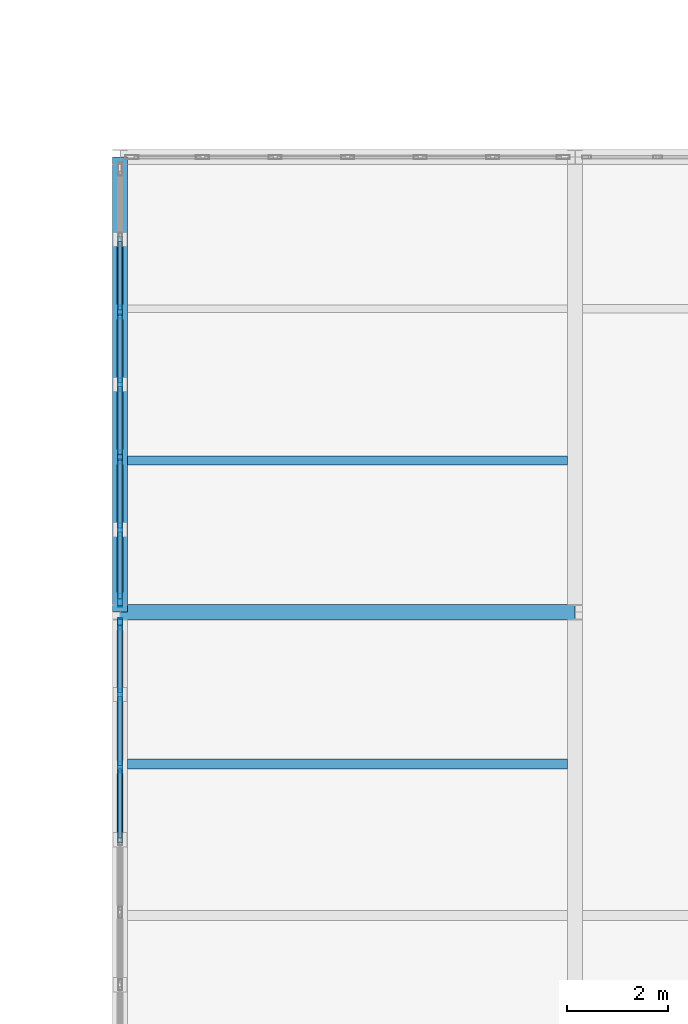
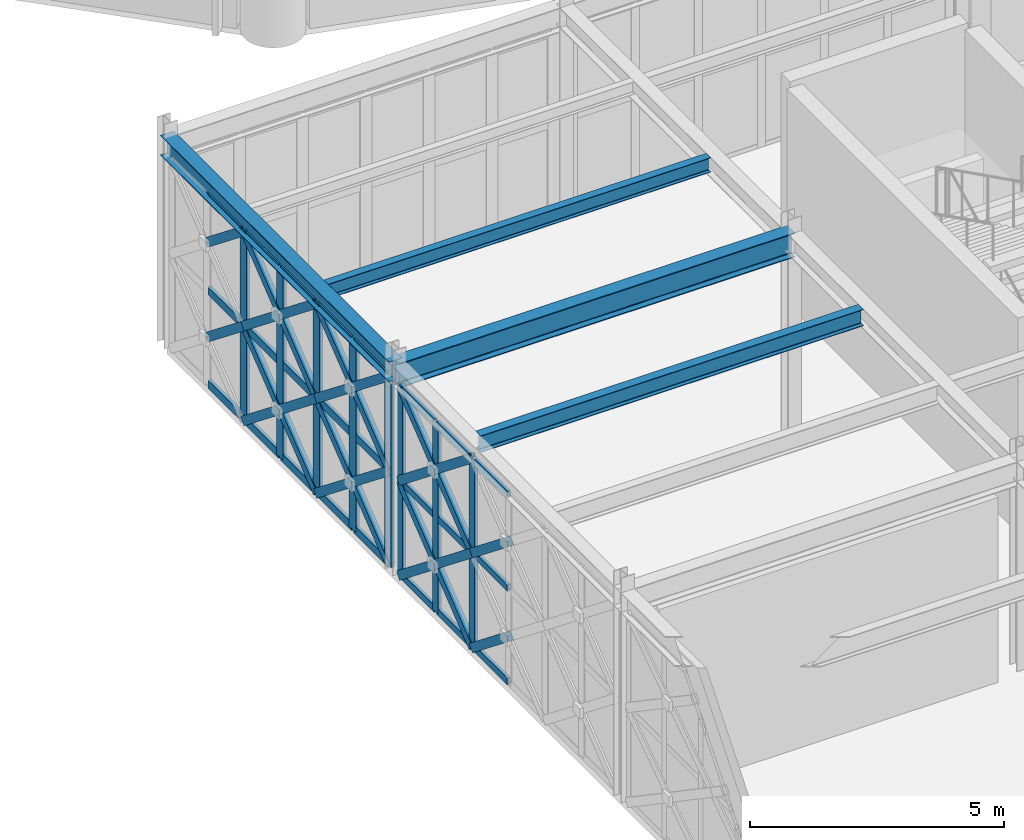
# One storey, part 40 of 155: 54 members, 4 beams, 2 elements without a shape of their own.
"""IFC4 building model written with IfcOpenShell, lengths in metres."""

from ifc_helpers import new_model, si_unit, direction, frame, origin, origin_2d, place, context, subcontext, project, spatial, hollow_rectangle, i_section, extrude, material, material_profile, profile_set, type_object, element, aggregate, save


model = new_model("IFC4")

# Units and contexts
model_context = context("Model", 3, precision=1e-05, world=origin(), true_north=direction((0.0, 1.0)))
body_context = subcontext(model_context, "Body", "Model", "MODEL_VIEW")
ifc_project = project(units=[si_unit("LENGTHUNIT", "METRE"), si_unit("AREAUNIT", "SQUARE_METRE"), si_unit("VOLUMEUNIT", "CUBIC_METRE"), si_unit("PLANEANGLEUNIT", "RADIAN"), si_unit("MASSUNIT", "GRAM", prefix="KILO")], contexts=[model_context])

# Site, building, storey
site_placement = place(None, origin())
site = spatial("IfcSite", under=ifc_project, at=site_placement, CompositionType="ELEMENT")
building_placement = place(site_placement, origin())
building = spatial("IfcBuilding", under=site, at=building_placement, Name="Haizhuo Lancet Aquarium", CompositionType="ELEMENT")
storey_placement = place(building_placement, frame((0.0, 0.0, 10.800048828125)))
storey = spatial("IfcBuildingStorey", under=building, at=storey_placement, Name="L02", CompositionType="ELEMENT", Elevation=10.800048828125)

# Beams
ifc_material_1 = material(Name="Steel S355", Category="steel")
ifc_material_profile_1 = material_profile(ifc_material_1, i_section(OverallWidth=0.300048828125, OverallDepth=0.488037109375, WebThickness=0.010986328125, FlangeThickness=0.01806640625, FilletRadius=0.02392578125, at=origin_2d()), Name="HM 488x300x11x18")
ifc_profile_set_1 = profile_set([ifc_material_profile_1], Name="Steel S355")
beam_type_1 = type_object("IfcBeamType", Name="BM-ST-HM488", PredefinedType="BEAM", material=ifc_profile_set_1)
beam_1_placement = place(storey_placement, frame((-18.0, -36.0, 4.805908203125), z_axis=(0.0, 1.0, 0.0), x_axis=(-1.0, 0.0, 0.0)))
element("IfcBeam", 1, at=beam_1_placement, inside=storey, type_object=beam_type_1, Name="L02 V4 primary girder BM-L02-V4-005", PredefinedType="BEAM", context=body_context, shape_type="SweptSolid", body=[
    extrude(i_section(OverallWidth=0.300048828125, OverallDepth=0.488037109375, WebThickness=0.010986328125, FlangeThickness=0.01806640625, FilletRadius=0.02392578125, at=origin_2d()), origin(), (0.0, 0.0, 1.0), 9.0),
])
ifc_material_profile_2 = material_profile(ifc_material_1, i_section(OverallWidth=0.300048828125, OverallDepth=0.587890625, WebThickness=0.011962890625, FlangeThickness=0.02001953125, FilletRadius=0.02587890625, at=origin_2d()), Name="HM 588x300x12x20")
ifc_profile_set_2 = profile_set([ifc_material_profile_2], Name="Steel S355")
beam_type_2 = type_object("IfcBeamType", Name="BM-ST-HM588", PredefinedType="BEAM", material=ifc_profile_set_2)
beam_2_placement = place(storey_placement, frame((-18.0, -36.0, 4.755859375), z_axis=(1.0, 0.0, 0.0), x_axis=(0.0, 1.0, 0.0)))
element("IfcBeam", 2, at=beam_2_placement, inside=storey, type_object=beam_type_2, Name="L02 V4 primary girder BM-L02-V4-006", PredefinedType="BEAM", context=body_context, shape_type="SweptSolid", body=[
    extrude(i_section(OverallWidth=0.300048828125, OverallDepth=0.587890625, WebThickness=0.011962890625, FlangeThickness=0.02001953125, FilletRadius=0.02587890625, at=origin_2d()), origin(), (0.0, 0.0, 1.0), 9.0),
])

# Curtain wall, members
ifc_material_2 = material(Name="Aluminium 6063-T6", Category="aluminium")
curtain_wall_type = type_object("IfcCurtainWallType", Name="CWO-8610x4560", PredefinedType="NOTDEFINED", material=ifc_material_2)
curtain_wall_1_placement = place(storey_placement, origin())
curtain_wall_1 = element("IfcCurtainWall", 3, at=curtain_wall_1_placement, inside=storey, type_object=curtain_wall_type, Name="L02 curtain wall CW-V4-L02-113", PredefinedType="NOTDEFINED")
ifc_material_profile_3 = material_profile(ifc_material_2, hollow_rectangle(XDim=0.074951171875, YDim=0.219970703125, WallThickness=0.0048828125, at=origin_2d()), Name="ALU-M 75x220x5")
ifc_profile_set_3 = profile_set([ifc_material_profile_3], Name="Aluminium 6063-T6")
member_type_1 = type_object("IfcMemberType", Name="CW-MUL-2", PredefinedType="MULLION", material=ifc_profile_set_3)
member_1_placement = place(storey_placement, frame((-18.0, -39.06494140625, 0.0), z_axis=(0.0, 0.0, 1.0), x_axis=(-1.0, 0.0, 0.0)))
member_1 = element("IfcMember", 4, at=member_1_placement, type_object=member_type_1, Name="CWO-86x45 mullion 5", PredefinedType="MULLION", context=body_context, shape_type="SweptSolid", body=[
    extrude(hollow_rectangle(XDim=0.074951171875, YDim=0.219970703125, WallThickness=0.0048828125, at=origin_2d()), origin(), (0.0, 0.0, 1.0), 4.56201171875),
])
member_2_placement = place(storey_placement, frame((-18.0, -37.6298828125, 0.0), z_axis=(0.0, 0.0, 1.0), x_axis=(-1.0, 0.0, 0.0)))
member_2 = element("IfcMember", 5, at=member_2_placement, type_object=member_type_1, Name="CWO-86x45 mullion 6", PredefinedType="MULLION", context=body_context, shape_type="SweptSolid", body=[
    extrude(hollow_rectangle(XDim=0.074951171875, YDim=0.219970703125, WallThickness=0.0048828125, at=origin_2d()), origin(), (0.0, 0.0, 1.0), 4.56201171875),
])
member_3_placement = place(storey_placement, frame((-18.0, -36.23291015625, 0.0), z_axis=(0.0, 0.0, 1.0), x_axis=(-1.0, 0.0, 0.0)))
member_3 = element("IfcMember", 6, at=member_3_placement, type_object=member_type_1, Name="CWO-86x45 mullion 7", PredefinedType="MULLION", context=body_context, shape_type="SweptSolid", body=[
    extrude(hollow_rectangle(XDim=0.074951171875, YDim=0.219970703125, WallThickness=0.0048828125, at=origin_2d()), origin(), (0.0, 0.0, 1.0), 4.56201171875),
])

curtain_wall_2_placement = place(storey_placement, origin())
curtain_wall_2 = element("IfcCurtainWall", 7, at=curtain_wall_2_placement, inside=storey, type_object=curtain_wall_type, Name="L02 curtain wall CW-V4-L02-114", PredefinedType="NOTDEFINED")
ifc_material_profile_4 = material_profile(ifc_material_2, hollow_rectangle(XDim=0.080078125, YDim=0.260009765625, WallThickness=0.0048828125, at=origin_2d()), Name="ALU-M 80x260x5")
ifc_profile_set_4 = profile_set([ifc_material_profile_4], Name="Aluminium 6063-T6")
member_type_2 = type_object("IfcMemberType", Name="CW-MUL-3", PredefinedType="MULLION", material=ifc_profile_set_4)
member_4_placement = place(storey_placement, frame((-18.0, -35.764892578125, 0.0), z_axis=(0.0, 0.0, 1.0), x_axis=(-1.0, 0.0, 0.0)))
member_4 = element("IfcMember", 8, at=member_4_placement, type_object=member_type_2, Name="CWO-86x45 mullion 1", PredefinedType="MULLION", context=body_context, shape_type="SweptSolid", body=[
    extrude(hollow_rectangle(XDim=0.080078125, YDim=0.260009765625, WallThickness=0.0048828125, at=origin_2d()), origin(), (0.0, 0.0, 1.0), 4.56201171875),
])
member_5_placement = place(storey_placement, frame((-18.0, -34.3701171875, 0.0), z_axis=(0.0, 0.0, 1.0), x_axis=(-1.0, 0.0, 0.0)))
member_5 = element("IfcMember", 9, at=member_5_placement, type_object=member_type_2, Name="CWO-86x45 mullion 2", PredefinedType="MULLION", context=body_context, shape_type="SweptSolid", body=[
    extrude(hollow_rectangle(XDim=0.080078125, YDim=0.260009765625, WallThickness=0.0048828125, at=origin_2d()), origin(), (0.0, 0.0, 1.0), 4.56201171875),
])
member_6_placement = place(storey_placement, frame((-18.0, -32.93505859375, 0.0), z_axis=(0.0, 0.0, 1.0), x_axis=(-1.0, 0.0, 0.0)))
member_6 = element("IfcMember", 10, at=member_6_placement, type_object=member_type_2, Name="CWO-86x45 mullion 3", PredefinedType="MULLION", context=body_context, shape_type="SweptSolid", body=[
    extrude(hollow_rectangle(XDim=0.080078125, YDim=0.260009765625, WallThickness=0.0048828125, at=origin_2d()), origin(), (0.0, 0.0, 1.0), 4.56201171875),
])
member_7_placement = place(storey_placement, frame((-18.0, -31.5, 0.0), z_axis=(0.0, 0.0, 1.0), x_axis=(-1.0, 0.0, 0.0)))
member_7 = element("IfcMember", 11, at=member_7_placement, type_object=member_type_2, Name="CWO-86x45 mullion 4", PredefinedType="MULLION", context=body_context, shape_type="SweptSolid", body=[
    extrude(hollow_rectangle(XDim=0.080078125, YDim=0.260009765625, WallThickness=0.0048828125, at=origin_2d()), origin(), (0.0, 0.0, 1.0), 4.56201171875),
])
member_8_placement = place(storey_placement, frame((-18.0, -30.06494140625, 0.0), z_axis=(0.0, 0.0, 1.0), x_axis=(-1.0, 0.0, 0.0)))
member_8 = element("IfcMember", 12, at=member_8_placement, type_object=member_type_2, Name="CWO-86x45 mullion 5", PredefinedType="MULLION", context=body_context, shape_type="SweptSolid", body=[
    extrude(hollow_rectangle(XDim=0.080078125, YDim=0.260009765625, WallThickness=0.0048828125, at=origin_2d()), origin(), (0.0, 0.0, 1.0), 4.56201171875),
])

# Member
ifc_material_profile_5 = material_profile(ifc_material_2, hollow_rectangle(XDim=0.074951171875, YDim=0.159912109375, WallThickness=0.00390625, at=origin_2d()), Name="ALU-T 75x160x4")
ifc_profile_set_5 = profile_set([ifc_material_profile_5], Name="Aluminium 6063-T6")
member_type_3 = type_object("IfcMemberType", Name="CW-TRN-2", PredefinedType="NOTDEFINED", material=ifc_profile_set_5)
member_9_placement = place(storey_placement, frame((-18.0, -40.4619140625, 0.037841796875), z_axis=(0.0, 1.0, 0.0), x_axis=(-1.0, 0.0, 0.0)))
member_9 = element("IfcMember", 13, at=member_9_placement, type_object=member_type_3, Name="CWO-86x45 transom 4.1", ObjectType="TRANSOM", PredefinedType="USERDEFINED", context=body_context, shape_type="SweptSolid", body=[
    extrude(hollow_rectangle(XDim=0.074951171875, YDim=0.159912109375, WallThickness=0.00390625, at=origin_2d()), origin(), (0.0, 0.0, 1.0), 1.35986328125),
])

member_10_placement = place(storey_placement, frame((-18.0, -40.4619140625, 2.281005859375), z_axis=(0.0, 1.0, 0.0), x_axis=(-1.0, 0.0, 0.0)))
member_10 = element("IfcMember", 14, at=member_10_placement, type_object=member_type_3, Name="CWO-86x45 transom 4.2", ObjectType="TRANSOM", PredefinedType="USERDEFINED", context=body_context, shape_type="SweptSolid", body=[
    extrude(hollow_rectangle(XDim=0.074951171875, YDim=0.159912109375, WallThickness=0.00390625, at=origin_2d()), origin(), (0.0, 0.0, 1.0), 1.35986328125),
])

member_11_placement = place(storey_placement, frame((-18.0, -40.4619140625, 4.52490234375), z_axis=(0.0, 1.0, 0.0), x_axis=(-1.0, 0.0, 0.0)))
member_11 = element("IfcMember", 15, at=member_11_placement, type_object=member_type_3, Name="CWO-86x45 transom 4.3", ObjectType="TRANSOM", PredefinedType="USERDEFINED", context=body_context, shape_type="SweptSolid", body=[
    extrude(hollow_rectangle(XDim=0.074951171875, YDim=0.159912109375, WallThickness=0.00390625, at=origin_2d()), origin(), (0.0, 0.0, 1.0), 1.35986328125),
])

member_12_placement = place(storey_placement, frame((-18.0, -39.028076171875, 0.037841796875), z_axis=(0.0, 1.0, 0.0), x_axis=(-1.0, 0.0, 0.0)))
member_12 = element("IfcMember", 16, at=member_12_placement, type_object=member_type_3, Name="CWO-86x45 transom 5.1", ObjectType="TRANSOM", PredefinedType="USERDEFINED", context=body_context, shape_type="SweptSolid", body=[
    extrude(hollow_rectangle(XDim=0.074951171875, YDim=0.159912109375, WallThickness=0.00390625, at=origin_2d()), origin(), (0.0, 0.0, 1.0), 1.360107421875),
])

member_13_placement = place(storey_placement, frame((-18.0, -39.028076171875, 2.281005859375), z_axis=(0.0, 1.0, 0.0), x_axis=(-1.0, 0.0, 0.0)))
member_13 = element("IfcMember", 17, at=member_13_placement, type_object=member_type_3, Name="CWO-86x45 transom 5.2", ObjectType="TRANSOM", PredefinedType="USERDEFINED", context=body_context, shape_type="SweptSolid", body=[
    extrude(hollow_rectangle(XDim=0.074951171875, YDim=0.159912109375, WallThickness=0.00390625, at=origin_2d()), origin(), (0.0, 0.0, 1.0), 1.360107421875),
])

member_14_placement = place(storey_placement, frame((-18.0, -39.028076171875, 4.52490234375), z_axis=(0.0, 1.0, 0.0), x_axis=(-1.0, 0.0, 0.0)))
member_14 = element("IfcMember", 18, at=member_14_placement, type_object=member_type_3, Name="CWO-86x45 transom 5.3", ObjectType="TRANSOM", PredefinedType="USERDEFINED", context=body_context, shape_type="SweptSolid", body=[
    extrude(hollow_rectangle(XDim=0.074951171875, YDim=0.159912109375, WallThickness=0.00390625, at=origin_2d()), origin(), (0.0, 0.0, 1.0), 1.360107421875),
])

member_15_placement = place(storey_placement, frame((-18.0, -37.593017578125, 0.037841796875), z_axis=(0.0, 1.0, 0.0), x_axis=(-1.0, 0.0, 0.0)))
member_15 = element("IfcMember", 19, at=member_15_placement, type_object=member_type_3, Name="CWO-86x45 transom 6.1", ObjectType="TRANSOM", PredefinedType="USERDEFINED", context=body_context, shape_type="SweptSolid", body=[
    extrude(hollow_rectangle(XDim=0.074951171875, YDim=0.159912109375, WallThickness=0.00390625, at=origin_2d()), origin(), (0.0, 0.0, 1.0), 1.322998046875),
])

member_16_placement = place(storey_placement, frame((-18.0, -37.593017578125, 2.281005859375), z_axis=(0.0, 1.0, 0.0), x_axis=(-1.0, 0.0, 0.0)))
member_16 = element("IfcMember", 20, at=member_16_placement, type_object=member_type_3, Name="CWO-86x45 transom 6.2", ObjectType="TRANSOM", PredefinedType="USERDEFINED", context=body_context, shape_type="SweptSolid", body=[
    extrude(hollow_rectangle(XDim=0.074951171875, YDim=0.159912109375, WallThickness=0.00390625, at=origin_2d()), origin(), (0.0, 0.0, 1.0), 1.322998046875),
])

member_17_placement = place(storey_placement, frame((-18.0, -37.593017578125, 4.52490234375), z_axis=(0.0, 1.0, 0.0), x_axis=(-1.0, 0.0, 0.0)))
member_17 = element("IfcMember", 21, at=member_17_placement, type_object=member_type_3, Name="CWO-86x45 transom 6.3", ObjectType="TRANSOM", PredefinedType="USERDEFINED", context=body_context, shape_type="SweptSolid", body=[
    extrude(hollow_rectangle(XDim=0.074951171875, YDim=0.159912109375, WallThickness=0.00390625, at=origin_2d()), origin(), (0.0, 0.0, 1.0), 1.322998046875),
])

aggregate(curtain_wall_1, [member_1, member_2, member_3, member_9, member_10, member_11, member_12, member_13, member_14, member_15, member_16, member_17])

ifc_material_profile_6 = material_profile(ifc_material_2, hollow_rectangle(XDim=0.080078125, YDim=0.18994140625, WallThickness=0.0048828125, at=origin_2d()), Name="ALU-T 80x190x5")
ifc_profile_set_6 = profile_set([ifc_material_profile_6], Name="Aluminium 6063-T6")
member_type_4 = type_object("IfcMemberType", Name="CW-TRN-3", PredefinedType="NOTDEFINED", material=ifc_profile_set_6)
member_18_placement = place(storey_placement, frame((-18.0, -35.72509765625, 0.0400390625), z_axis=(0.0, 1.0, 0.0), x_axis=(-1.0, 0.0, 0.0)))
member_18 = element("IfcMember", 22, at=member_18_placement, type_object=member_type_4, Name="CWO-86x45 transom 1.1", ObjectType="TRANSOM", PredefinedType="USERDEFINED", context=body_context, shape_type="SweptSolid", body=[
    extrude(hollow_rectangle(XDim=0.080078125, YDim=0.18994140625, WallThickness=0.0048828125, at=origin_2d()), origin(), (0.0, 0.0, 1.0), 1.315185546875),
])

member_19_placement = place(storey_placement, frame((-18.0, -35.72509765625, 2.281005859375), z_axis=(0.0, 1.0, 0.0), x_axis=(-1.0, 0.0, 0.0)))
member_19 = element("IfcMember", 23, at=member_19_placement, type_object=member_type_4, Name="CWO-86x45 transom 1.2", ObjectType="TRANSOM", PredefinedType="USERDEFINED", context=body_context, shape_type="SweptSolid", body=[
    extrude(hollow_rectangle(XDim=0.080078125, YDim=0.18994140625, WallThickness=0.0048828125, at=origin_2d()), origin(), (0.0, 0.0, 1.0), 1.315185546875),
])

member_20_placement = place(storey_placement, frame((-18.0, -35.72509765625, 4.52197265625), z_axis=(0.0, 1.0, 0.0), x_axis=(-1.0, 0.0, 0.0)))
member_20 = element("IfcMember", 24, at=member_20_placement, type_object=member_type_4, Name="CWO-86x45 transom 1.3", ObjectType="TRANSOM", PredefinedType="USERDEFINED", context=body_context, shape_type="SweptSolid", body=[
    extrude(hollow_rectangle(XDim=0.080078125, YDim=0.18994140625, WallThickness=0.0048828125, at=origin_2d()), origin(), (0.0, 0.0, 1.0), 1.315185546875),
])

member_21_placement = place(storey_placement, frame((-18.0, -34.330078125, 0.0400390625), z_axis=(0.0, 1.0, 0.0), x_axis=(-1.0, 0.0, 0.0)))
member_21 = element("IfcMember", 25, at=member_21_placement, type_object=member_type_4, Name="CWO-86x45 transom 2.1", ObjectType="TRANSOM", PredefinedType="USERDEFINED", context=body_context, shape_type="SweptSolid", body=[
    extrude(hollow_rectangle(XDim=0.080078125, YDim=0.18994140625, WallThickness=0.0048828125, at=origin_2d()), origin(), (0.0, 0.0, 1.0), 1.35498046875),
])

member_22_placement = place(storey_placement, frame((-18.0, -34.330078125, 2.281005859375), z_axis=(0.0, 1.0, 0.0), x_axis=(-1.0, 0.0, 0.0)))
member_22 = element("IfcMember", 26, at=member_22_placement, type_object=member_type_4, Name="CWO-86x45 transom 2.2", ObjectType="TRANSOM", PredefinedType="USERDEFINED", context=body_context, shape_type="SweptSolid", body=[
    extrude(hollow_rectangle(XDim=0.080078125, YDim=0.18994140625, WallThickness=0.0048828125, at=origin_2d()), origin(), (0.0, 0.0, 1.0), 1.35498046875),
])

member_23_placement = place(storey_placement, frame((-18.0, -34.330078125, 4.52197265625), z_axis=(0.0, 1.0, 0.0), x_axis=(-1.0, 0.0, 0.0)))
member_23 = element("IfcMember", 27, at=member_23_placement, type_object=member_type_4, Name="CWO-86x45 transom 2.3", ObjectType="TRANSOM", PredefinedType="USERDEFINED", context=body_context, shape_type="SweptSolid", body=[
    extrude(hollow_rectangle(XDim=0.080078125, YDim=0.18994140625, WallThickness=0.0048828125, at=origin_2d()), origin(), (0.0, 0.0, 1.0), 1.35498046875),
])

member_24_placement = place(storey_placement, frame((-18.0, -32.89501953125, 0.0400390625), z_axis=(0.0, 1.0, 0.0), x_axis=(-1.0, 0.0, 0.0)))
member_24 = element("IfcMember", 28, at=member_24_placement, type_object=member_type_4, Name="CWO-86x45 transom 3.1", ObjectType="TRANSOM", PredefinedType="USERDEFINED", context=body_context, shape_type="SweptSolid", body=[
    extrude(hollow_rectangle(XDim=0.080078125, YDim=0.18994140625, WallThickness=0.0048828125, at=origin_2d()), origin(), (0.0, 0.0, 1.0), 1.35498046875),
])

member_25_placement = place(storey_placement, frame((-18.0, -32.89501953125, 2.281005859375), z_axis=(0.0, 1.0, 0.0), x_axis=(-1.0, 0.0, 0.0)))
member_25 = element("IfcMember", 29, at=member_25_placement, type_object=member_type_4, Name="CWO-86x45 transom 3.2", ObjectType="TRANSOM", PredefinedType="USERDEFINED", context=body_context, shape_type="SweptSolid", body=[
    extrude(hollow_rectangle(XDim=0.080078125, YDim=0.18994140625, WallThickness=0.0048828125, at=origin_2d()), origin(), (0.0, 0.0, 1.0), 1.35498046875),
])

member_26_placement = place(storey_placement, frame((-18.0, -32.89501953125, 4.52197265625), z_axis=(0.0, 1.0, 0.0), x_axis=(-1.0, 0.0, 0.0)))
member_26 = element("IfcMember", 30, at=member_26_placement, type_object=member_type_4, Name="CWO-86x45 transom 3.3", ObjectType="TRANSOM", PredefinedType="USERDEFINED", context=body_context, shape_type="SweptSolid", body=[
    extrude(hollow_rectangle(XDim=0.080078125, YDim=0.18994140625, WallThickness=0.0048828125, at=origin_2d()), origin(), (0.0, 0.0, 1.0), 1.35498046875),
])

member_27_placement = place(storey_placement, frame((-18.0, -31.4599609375, 0.0400390625), z_axis=(0.0, 1.0, 0.0), x_axis=(-1.0, 0.0, 0.0)))
member_27 = element("IfcMember", 31, at=member_27_placement, type_object=member_type_4, Name="CWO-86x45 transom 4.1", ObjectType="TRANSOM", PredefinedType="USERDEFINED", context=body_context, shape_type="SweptSolid", body=[
    extrude(hollow_rectangle(XDim=0.080078125, YDim=0.18994140625, WallThickness=0.0048828125, at=origin_2d()), origin(), (0.0, 0.0, 1.0), 1.35498046875),
])

member_28_placement = place(storey_placement, frame((-18.0, -31.4599609375, 2.281005859375), z_axis=(0.0, 1.0, 0.0), x_axis=(-1.0, 0.0, 0.0)))
member_28 = element("IfcMember", 32, at=member_28_placement, type_object=member_type_4, Name="CWO-86x45 transom 4.2", ObjectType="TRANSOM", PredefinedType="USERDEFINED", context=body_context, shape_type="SweptSolid", body=[
    extrude(hollow_rectangle(XDim=0.080078125, YDim=0.18994140625, WallThickness=0.0048828125, at=origin_2d()), origin(), (0.0, 0.0, 1.0), 1.35498046875),
])

member_29_placement = place(storey_placement, frame((-18.0, -31.4599609375, 4.52197265625), z_axis=(0.0, 1.0, 0.0), x_axis=(-1.0, 0.0, 0.0)))
member_29 = element("IfcMember", 33, at=member_29_placement, type_object=member_type_4, Name="CWO-86x45 transom 4.3", ObjectType="TRANSOM", PredefinedType="USERDEFINED", context=body_context, shape_type="SweptSolid", body=[
    extrude(hollow_rectangle(XDim=0.080078125, YDim=0.18994140625, WallThickness=0.0048828125, at=origin_2d()), origin(), (0.0, 0.0, 1.0), 1.35498046875),
])

member_30_placement = place(storey_placement, frame((-18.0, -30.02490234375, 0.0400390625), z_axis=(0.0, 1.0, 0.0), x_axis=(-1.0, 0.0, 0.0)))
member_30 = element("IfcMember", 34, at=member_30_placement, type_object=member_type_4, Name="CWO-86x45 transom 5.1", ObjectType="TRANSOM", PredefinedType="USERDEFINED", context=body_context, shape_type="SweptSolid", body=[
    extrude(hollow_rectangle(XDim=0.080078125, YDim=0.18994140625, WallThickness=0.0048828125, at=origin_2d()), origin(), (0.0, 0.0, 1.0), 1.35498046875),
])

member_31_placement = place(storey_placement, frame((-18.0, -30.02490234375, 2.281005859375), z_axis=(0.0, 1.0, 0.0), x_axis=(-1.0, 0.0, 0.0)))
member_31 = element("IfcMember", 35, at=member_31_placement, type_object=member_type_4, Name="CWO-86x45 transom 5.2", ObjectType="TRANSOM", PredefinedType="USERDEFINED", context=body_context, shape_type="SweptSolid", body=[
    extrude(hollow_rectangle(XDim=0.080078125, YDim=0.18994140625, WallThickness=0.0048828125, at=origin_2d()), origin(), (0.0, 0.0, 1.0), 1.35498046875),
])

member_32_placement = place(storey_placement, frame((-18.0, -30.02490234375, 4.52197265625), z_axis=(0.0, 1.0, 0.0), x_axis=(-1.0, 0.0, 0.0)))
member_32 = element("IfcMember", 36, at=member_32_placement, type_object=member_type_4, Name="CWO-86x45 transom 5.3", ObjectType="TRANSOM", PredefinedType="USERDEFINED", context=body_context, shape_type="SweptSolid", body=[
    extrude(hollow_rectangle(XDim=0.080078125, YDim=0.18994140625, WallThickness=0.0048828125, at=origin_2d()), origin(), (0.0, 0.0, 1.0), 1.35498046875),
])

aggregate(curtain_wall_2, [member_4, member_5, member_6, member_7, member_8, member_18, member_19, member_20, member_21, member_22, member_23, member_24, member_25, member_26, member_27, member_28, member_29, member_30, member_31, member_32])

# Beams
ifc_material_profile_7 = material_profile(ifc_material_1, i_section(OverallWidth=0.175048828125, OverallDepth=0.35009765625, WebThickness=0.007080078125, FlangeThickness=0.010986328125, FilletRadius=0.013916015625, at=origin_2d()), Name="HN 350x175x7x11")
ifc_profile_set_7 = profile_set([ifc_material_profile_7], Name="Steel S355")
beam_type_3 = type_object("IfcBeamType", Name="JST-ST-HN350", PredefinedType="JOIST", material=ifc_profile_set_7)
beam_3_placement = place(storey_placement, frame((-17.85009765625, -33.0, 4.875), z_axis=(1.0, 0.0, 0.0), x_axis=(0.0, 1.0, 0.0)))
element("IfcBeam", 37, at=beam_3_placement, inside=storey, type_object=beam_type_3, Name="L02 V4 secondary floor joist 5", PredefinedType="JOIST", context=body_context, shape_type="SweptSolid", body=[
    extrude(i_section(OverallWidth=0.175048828125, OverallDepth=0.35009765625, WebThickness=0.007080078125, FlangeThickness=0.010986328125, FilletRadius=0.013916015625, at=origin_2d()), origin(), (0.0, 0.0, 1.0), 8.7001953125),
])
ifc_material_profile_8 = material_profile(ifc_material_1, i_section(OverallWidth=0.199951171875, OverallDepth=0.39990234375, WebThickness=0.008056640625, FlangeThickness=0.012939453125, FilletRadius=0.01611328125, at=origin_2d()), Name="HN 400x200x8x13")
ifc_profile_set_8 = profile_set([ifc_material_profile_8], Name="Steel S355")
beam_type_4 = type_object("IfcBeamType", Name="JST-ST-HN400", PredefinedType="JOIST", material=ifc_profile_set_8)
beam_4_placement = place(storey_placement, frame((-17.85009765625, -39.0, 4.849853515625), z_axis=(1.0, 0.0, 0.0), x_axis=(0.0, 1.0, 0.0)))
element("IfcBeam", 38, at=beam_4_placement, inside=storey, type_object=beam_type_4, Name="L02 V4 secondary floor joist 4", PredefinedType="JOIST", context=body_context, shape_type="SweptSolid", body=[
    extrude(i_section(OverallWidth=0.199951171875, OverallDepth=0.39990234375, WebThickness=0.008056640625, FlangeThickness=0.012939453125, FilletRadius=0.01611328125, at=origin_2d()), origin(), (0.0, 0.0, 1.0), 8.7001953125),
])

# Members
ifc_material_profile_9 = material_profile(ifc_material_1, hollow_rectangle(XDim=0.1201171875, YDim=0.199951171875, WallThickness=0.008056640625, at=origin_2d()), Name="RHS 120x200x8")
ifc_profile_set_9 = profile_set([ifc_material_profile_9], Name="Steel S355")
member_type_5 = type_object("IfcMemberType", Name="MEM-LB-RHS120x200", PredefinedType="BRACE", material=ifc_profile_set_9)
member_33_placement = place(storey_placement, frame((-18.0, -39.06494140625, 0.0), z_axis=(0.0, -0.78277501707, 0.622304806868), x_axis=(1.0, 0.0, 0.0)))
element("IfcMember", 39, at=member_33_placement, inside=storey, type_object=member_type_5, Name="Gothic lancet split diagonal brace CW-V4-L02-113 3B1", PredefinedType="BRACE", context=body_context, shape_type="SweptSolid", body=[
    extrude(hollow_rectangle(XDim=0.1201171875, YDim=0.199951171875, WallThickness=0.008056640625, at=origin_2d()), origin(), (0.0, 0.0, 1.0), 1.833251953125),
])
member_34_placement = place(storey_placement, frame((-18.0, -39.06494140625, 2.281005859375), z_axis=(0.0, -0.783034517143, 0.621978251198), x_axis=(1.0, 0.0, 0.0)))
element("IfcMember", 40, at=member_34_placement, inside=storey, type_object=member_type_5, Name="Gothic lancet split diagonal brace CW-V4-L02-113 4B1", PredefinedType="BRACE", context=body_context, shape_type="SweptSolid", body=[
    extrude(hollow_rectangle(XDim=0.1201171875, YDim=0.199951171875, WallThickness=0.008056640625, at=origin_2d()), origin(), (0.0, 0.0, 1.0), 1.832763671875),
])
member_35_placement = place(storey_placement, frame((-18.0, -39.06494140625, 0.0), z_axis=(0.0, 0.78284654434, 0.622214824651), x_axis=(-1.0, 0.0, 0.0)))
element("IfcMember", 41, at=member_35_placement, inside=storey, type_object=member_type_5, Name="Gothic lancet continuous diagonal brace CW-V4-L02-113 5A", PredefinedType="BRACE", context=body_context, shape_type="SweptSolid", body=[
    extrude(hollow_rectangle(XDim=0.1201171875, YDim=0.199951171875, WallThickness=0.008056640625, at=origin_2d()), origin(), (0.0, 0.0, 1.0), 3.666015625),
])
member_36_placement = place(storey_placement, frame((-18.0, -36.195068359375, 0.0), z_axis=(0.0, -0.782723437039, 0.622369682029), x_axis=(1.0, 0.0, 0.0)))
element("IfcMember", 42, at=member_36_placement, inside=storey, type_object=member_type_5, Name="Gothic lancet split diagonal brace CW-V4-L02-113 5B1", PredefinedType="BRACE", context=body_context, shape_type="SweptSolid", body=[
    extrude(hollow_rectangle(XDim=0.1201171875, YDim=0.199951171875, WallThickness=0.008056640625, at=origin_2d()), origin(), (0.0, 0.0, 1.0), 1.8330078125),
])
member_37_placement = place(storey_placement, frame((-18.0, -37.6298828125, 1.140869140625), z_axis=(0.0, -0.782969638769, 0.62205992056), x_axis=(1.0, 0.0, 0.0)))
element("IfcMember", 43, at=member_37_placement, inside=storey, type_object=member_type_5, Name="Gothic lancet split diagonal brace CW-V4-L02-113 5B2", PredefinedType="BRACE", context=body_context, shape_type="SweptSolid", body=[
    extrude(hollow_rectangle(XDim=0.1201171875, YDim=0.199951171875, WallThickness=0.008056640625, at=origin_2d()), origin(), (0.0, 0.0, 1.0), 1.832763671875),
])
member_38_placement = place(storey_placement, frame((-18.0, -39.06494140625, 2.281005859375), z_axis=(0.0, 0.78284654434, 0.622214824651), x_axis=(-1.0, 0.0, 0.0)))
element("IfcMember", 44, at=member_38_placement, inside=storey, type_object=member_type_5, Name="Gothic lancet continuous diagonal brace CW-V4-L02-113 6A", PredefinedType="BRACE", context=body_context, shape_type="SweptSolid", body=[
    extrude(hollow_rectangle(XDim=0.1201171875, YDim=0.199951171875, WallThickness=0.008056640625, at=origin_2d()), origin(), (0.0, 0.0, 1.0), 3.666015625),
])
member_39_placement = place(storey_placement, frame((-18.0, -36.195068359375, 2.281005859375), z_axis=(0.0, -0.782982974145, 0.622043135321), x_axis=(1.0, 0.0, 0.0)))
element("IfcMember", 45, at=member_39_placement, inside=storey, type_object=member_type_5, Name="Gothic lancet split diagonal brace CW-V4-L02-113 6B1", PredefinedType="BRACE", context=body_context, shape_type="SweptSolid", body=[
    extrude(hollow_rectangle(XDim=0.1201171875, YDim=0.199951171875, WallThickness=0.008056640625, at=origin_2d()), origin(), (0.0, 0.0, 1.0), 1.83251953125),
])
member_40_placement = place(storey_placement, frame((-18.0, -37.6298828125, 3.4208984375), z_axis=(0.0, -0.782710147658, 0.622386395058), x_axis=(1.0, 0.0, 0.0)))
element("IfcMember", 46, at=member_40_placement, inside=storey, type_object=member_type_5, Name="Gothic lancet split diagonal brace CW-V4-L02-113 6B2", PredefinedType="BRACE", context=body_context, shape_type="SweptSolid", body=[
    extrude(hollow_rectangle(XDim=0.1201171875, YDim=0.199951171875, WallThickness=0.008056640625, at=origin_2d()), origin(), (0.0, 0.0, 1.0), 1.83349609375),
])
member_41_placement = place(storey_placement, frame((-18.0, -35.804931640625, 0.0), z_axis=(0.0, 0.78284654434, 0.622214824651), x_axis=(-1.0, 0.0, 0.0)))
element("IfcMember", 47, at=member_41_placement, inside=storey, type_object=member_type_5, Name="Gothic lancet continuous diagonal brace CW-V4-L02-114 1A", PredefinedType="BRACE", context=body_context, shape_type="SweptSolid", body=[
    extrude(hollow_rectangle(XDim=0.1201171875, YDim=0.199951171875, WallThickness=0.008056640625, at=origin_2d()), origin(), (0.0, 0.0, 1.0), 3.666015625),
])
member_42_placement = place(storey_placement, frame((-18.0, -32.93505859375, 0.0), z_axis=(0.0, -0.78277501707, 0.622304806868), x_axis=(1.0, 0.0, 0.0)))
element("IfcMember", 48, at=member_42_placement, inside=storey, type_object=member_type_5, Name="Gothic lancet split diagonal brace CW-V4-L02-114 1B1", PredefinedType="BRACE", context=body_context, shape_type="SweptSolid", body=[
    extrude(hollow_rectangle(XDim=0.1201171875, YDim=0.199951171875, WallThickness=0.008056640625, at=origin_2d()), origin(), (0.0, 0.0, 1.0), 1.833251953125),
])
member_43_placement = place(storey_placement, frame((-18.0, -34.3701171875, 1.140869140625), z_axis=(0.0, -0.782918086507, 0.622124802448), x_axis=(1.0, 0.0, 0.0)))
element("IfcMember", 49, at=member_43_placement, inside=storey, type_object=member_type_5, Name="Gothic lancet split diagonal brace CW-V4-L02-114 1B2", PredefinedType="BRACE", context=body_context, shape_type="SweptSolid", body=[
    extrude(hollow_rectangle(XDim=0.1201171875, YDim=0.199951171875, WallThickness=0.008056640625, at=origin_2d()), origin(), (0.0, 0.0, 1.0), 1.832763671875),
])
member_44_placement = place(storey_placement, frame((-18.0, -35.804931640625, 2.281005859375), z_axis=(0.0, 0.78284654434, 0.622214824651), x_axis=(-1.0, 0.0, 0.0)))
element("IfcMember", 50, at=member_44_placement, inside=storey, type_object=member_type_5, Name="Gothic lancet continuous diagonal brace CW-V4-L02-114 2A", PredefinedType="BRACE", context=body_context, shape_type="SweptSolid", body=[
    extrude(hollow_rectangle(XDim=0.1201171875, YDim=0.199951171875, WallThickness=0.008056640625, at=origin_2d()), origin(), (0.0, 0.0, 1.0), 3.666015625),
])
member_45_placement = place(storey_placement, frame((-18.0, -32.93505859375, 2.281005859375), z_axis=(0.0, -0.783034517143, 0.621978251198), x_axis=(1.0, 0.0, 0.0)))
element("IfcMember", 51, at=member_45_placement, inside=storey, type_object=member_type_5, Name="Gothic lancet split diagonal brace CW-V4-L02-114 2B1", PredefinedType="BRACE", context=body_context, shape_type="SweptSolid", body=[
    extrude(hollow_rectangle(XDim=0.1201171875, YDim=0.199951171875, WallThickness=0.008056640625, at=origin_2d()), origin(), (0.0, 0.0, 1.0), 1.832763671875),
])
member_46_placement = place(storey_placement, frame((-18.0, -34.3701171875, 3.4208984375), z_axis=(0.0, -0.782658558378, 0.62245126797), x_axis=(1.0, 0.0, 0.0)))
element("IfcMember", 52, at=member_46_placement, inside=storey, type_object=member_type_5, Name="Gothic lancet split diagonal brace CW-V4-L02-114 2B2", PredefinedType="BRACE", context=body_context, shape_type="SweptSolid", body=[
    extrude(hollow_rectangle(XDim=0.1201171875, YDim=0.199951171875, WallThickness=0.008056640625, at=origin_2d()), origin(), (0.0, 0.0, 1.0), 1.833251953125),
])
member_47_placement = place(storey_placement, frame((-18.0, -32.93505859375, 0.0), z_axis=(0.0, 0.782872325399, 0.622182386543), x_axis=(-1.0, 0.0, 0.0)))
element("IfcMember", 53, at=member_47_placement, inside=storey, type_object=member_type_5, Name="Gothic lancet continuous diagonal brace CW-V4-L02-114 3A", PredefinedType="BRACE", context=body_context, shape_type="SweptSolid", body=[
    extrude(hollow_rectangle(XDim=0.1201171875, YDim=0.199951171875, WallThickness=0.008056640625, at=origin_2d()), origin(), (0.0, 0.0, 1.0), 3.666015625),
])
member_48_placement = place(storey_placement, frame((-18.0, -30.06494140625, 0.0), z_axis=(0.0, -0.78277501707, 0.622304806868), x_axis=(1.0, 0.0, 0.0)))
element("IfcMember", 54, at=member_48_placement, inside=storey, type_object=member_type_5, Name="Gothic lancet split diagonal brace CW-V4-L02-114 3B1", PredefinedType="BRACE", context=body_context, shape_type="SweptSolid", body=[
    extrude(hollow_rectangle(XDim=0.1201171875, YDim=0.199951171875, WallThickness=0.008056640625, at=origin_2d()), origin(), (0.0, 0.0, 1.0), 1.833251953125),
])
member_49_placement = place(storey_placement, frame((-18.0, -31.5, 1.140869140625), z_axis=(0.0, -0.782969638769, 0.62205992056), x_axis=(1.0, 0.0, 0.0)))
element("IfcMember", 55, at=member_49_placement, inside=storey, type_object=member_type_5, Name="Gothic lancet split diagonal brace CW-V4-L02-114 3B2", PredefinedType="BRACE", context=body_context, shape_type="SweptSolid", body=[
    extrude(hollow_rectangle(XDim=0.1201171875, YDim=0.199951171875, WallThickness=0.008056640625, at=origin_2d()), origin(), (0.0, 0.0, 1.0), 1.832763671875),
])
member_50_placement = place(storey_placement, frame((-18.0, -32.93505859375, 2.281005859375), z_axis=(0.0, 0.782872325399, 0.622182386543), x_axis=(-1.0, 0.0, 0.0)))
element("IfcMember", 56, at=member_50_placement, inside=storey, type_object=member_type_5, Name="Gothic lancet continuous diagonal brace CW-V4-L02-114 4A", PredefinedType="BRACE", context=body_context, shape_type="SweptSolid", body=[
    extrude(hollow_rectangle(XDim=0.1201171875, YDim=0.199951171875, WallThickness=0.008056640625, at=origin_2d()), origin(), (0.0, 0.0, 1.0), 3.666015625),
])
member_51_placement = place(storey_placement, frame((-18.0, -30.06494140625, 2.281005859375), z_axis=(0.0, -0.783034517143, 0.621978251198), x_axis=(1.0, 0.0, 0.0)))
element("IfcMember", 57, at=member_51_placement, inside=storey, type_object=member_type_5, Name="Gothic lancet split diagonal brace CW-V4-L02-114 4B1", PredefinedType="BRACE", context=body_context, shape_type="SweptSolid", body=[
    extrude(hollow_rectangle(XDim=0.1201171875, YDim=0.199951171875, WallThickness=0.008056640625, at=origin_2d()), origin(), (0.0, 0.0, 1.0), 1.832763671875),
])
member_52_placement = place(storey_placement, frame((-18.0, -31.5, 3.4208984375), z_axis=(0.0, -0.782710147658, 0.622386395058), x_axis=(1.0, 0.0, 0.0)))
element("IfcMember", 58, at=member_52_placement, inside=storey, type_object=member_type_5, Name="Gothic lancet split diagonal brace CW-V4-L02-114 4B2", PredefinedType="BRACE", context=body_context, shape_type="SweptSolid", body=[
    extrude(hollow_rectangle(XDim=0.1201171875, YDim=0.199951171875, WallThickness=0.008056640625, at=origin_2d()), origin(), (0.0, 0.0, 1.0), 1.83349609375),
])
member_53_placement = place(storey_placement, frame((-18.0, -28.6298828125, 1.140869140625), z_axis=(0.0, -0.782969638769, 0.62205992056), x_axis=(1.0, 0.0, 0.0)))
element("IfcMember", 59, at=member_53_placement, inside=storey, type_object=member_type_5, Name="Gothic lancet split diagonal brace CW-V4-L02-114 5B2", PredefinedType="BRACE", context=body_context, shape_type="SweptSolid", body=[
    extrude(hollow_rectangle(XDim=0.1201171875, YDim=0.199951171875, WallThickness=0.008056640625, at=origin_2d()), origin(), (0.0, 0.0, 1.0), 1.832763671875),
])
member_54_placement = place(storey_placement, frame((-18.0, -28.6298828125, 3.4208984375), z_axis=(0.0, -0.782710147658, 0.622386395058), x_axis=(1.0, 0.0, 0.0)))
element("IfcMember", 60, at=member_54_placement, inside=storey, type_object=member_type_5, Name="Gothic lancet split diagonal brace CW-V4-L02-114 6B2", PredefinedType="BRACE", context=body_context, shape_type="SweptSolid", body=[
    extrude(hollow_rectangle(XDim=0.1201171875, YDim=0.199951171875, WallThickness=0.008056640625, at=origin_2d()), origin(), (0.0, 0.0, 1.0), 1.83349609375),
])

save(model, "model.ifc")
